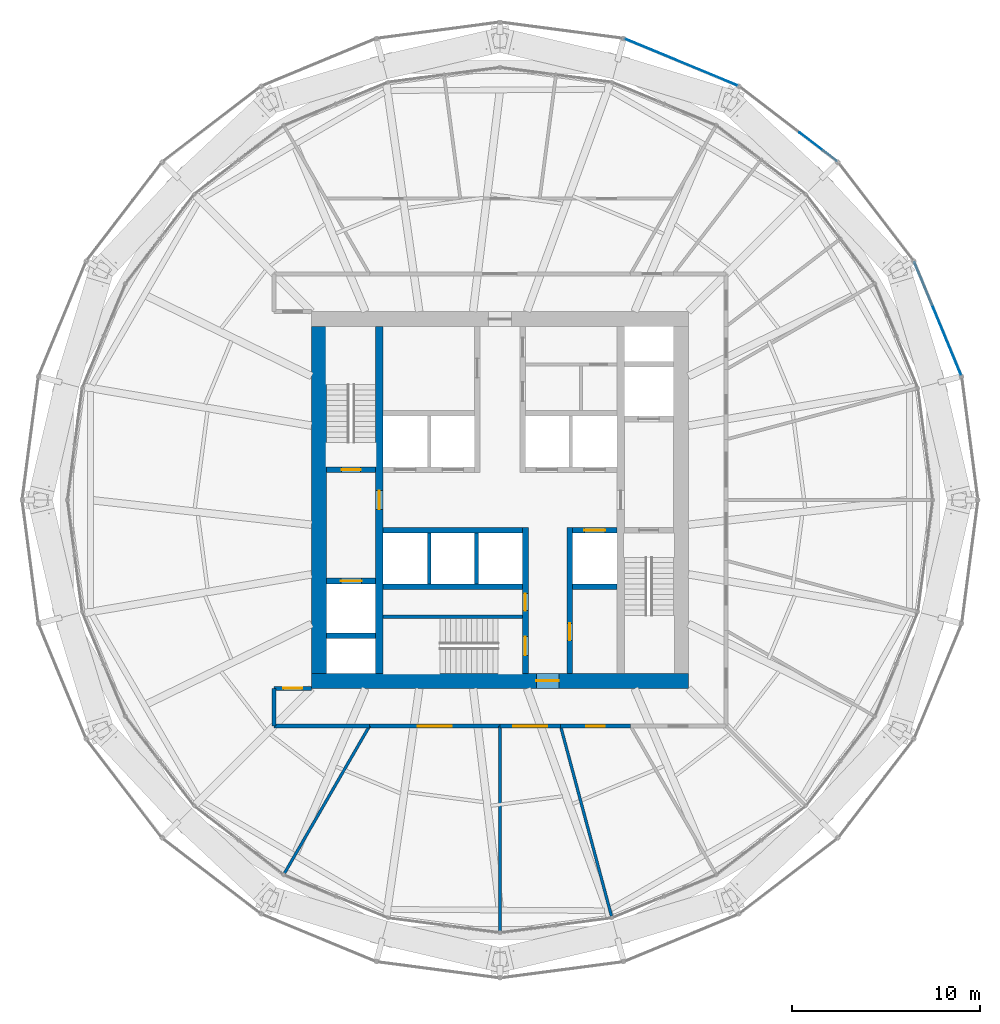
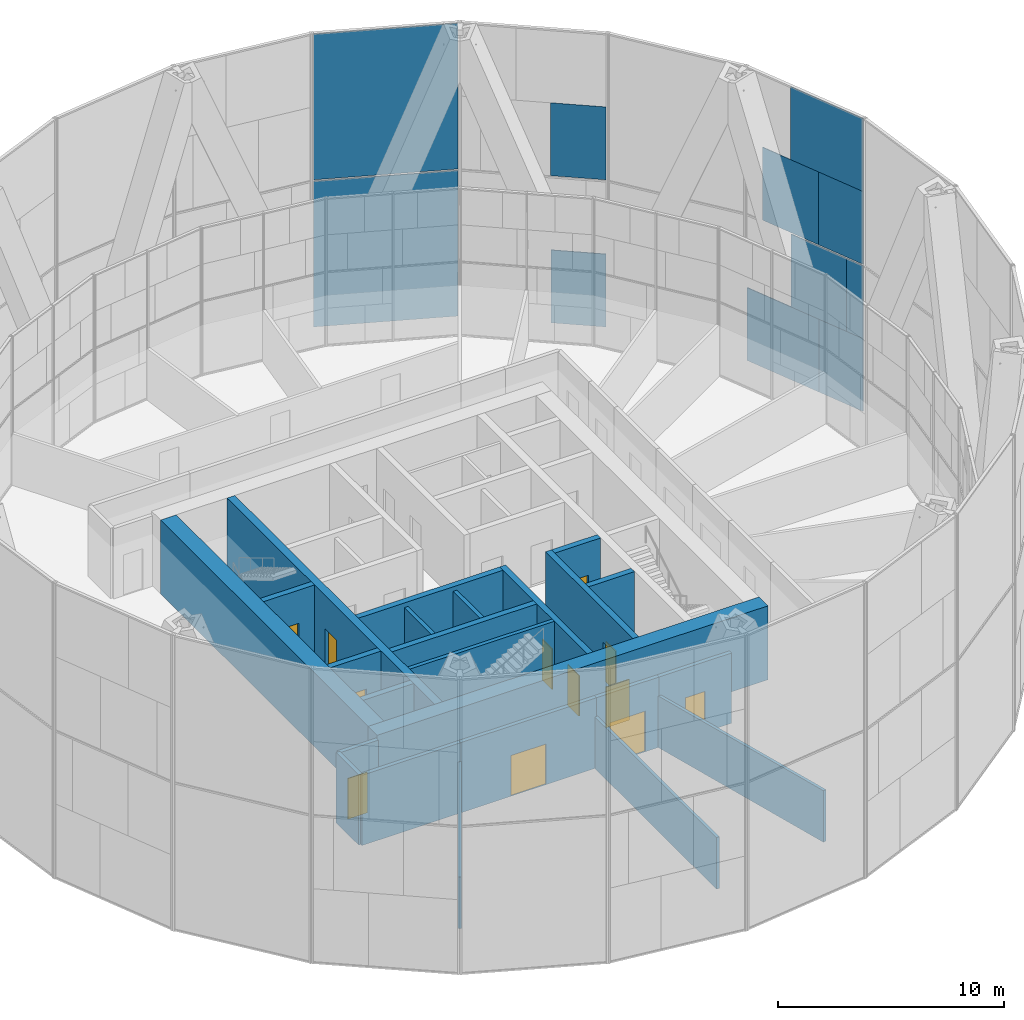
# One storey, part 19 of 22: 24 walls, 12 doors, 11 plates, 12 openings, 3 elements without a shape of their own.
"""IFC4 building model written with IfcOpenShell, lengths in metres."""

from ifc_helpers import new_model, si_unit, direction, frame, frame_2d, origin, origin_2d, place, context, subcontext, project, spatial, rectangle, extrude, material, layer, layer_set, type_object, element, fill, aggregate, save


model = new_model("IFC4")

# Units and contexts
model_context = context("Model", 3, precision=1e-05, world=origin(), true_north=direction((0.0, 1.0)))
body_context = subcontext(model_context, "Body", "Model", "MODEL_VIEW")
ifc_project = project(units=[si_unit("LENGTHUNIT", "METRE"), si_unit("AREAUNIT", "SQUARE_METRE"), si_unit("VOLUMEUNIT", "CUBIC_METRE"), si_unit("PLANEANGLEUNIT", "RADIAN"), si_unit("MASSUNIT", "GRAM", prefix="KILO")], contexts=[model_context])

# Site, building, storey
site_placement = place(None, origin())
site = spatial("IfcSite", under=ifc_project, at=site_placement, CompositionType="ELEMENT")
building_placement = place(site_placement, origin())
building = spatial("IfcBuilding", under=site, at=building_placement, Name="Golbaran Civic Tower", CompositionType="ELEMENT")
storey_placement = place(building_placement, frame((0.0, 0.0, 37.0)))
storey = spatial("IfcBuildingStorey", under=building, at=storey_placement, Name="L08", CompositionType="ELEMENT", Elevation=37.0)

# Curtain wall, plates
ifc_material_1 = material(Name="Aluminium and glass", Category="aluminium")
curtain_wall_type = type_object("IfcCurtainWallType", Name="OUTER SKIN TERRACOTTA SCREEN", PredefinedType="NOTDEFINED", material=ifc_material_1)
curtain_wall_1_placement = place(storey_placement, origin())
curtain_wall_1 = element("IfcCurtainWall", 1, at=curtain_wall_1_placement, inside=storey, type_object=curtain_wall_type, Name="Outer skin L08 facet 2 CW3", ObjectType="OUTER SKIN", PredefinedType="USERDEFINED")
ifc_material_2 = material(Name="Clear laminated glass", Category="glass")
ifc_layer_1 = layer(ifc_material_2, 0.0400390625, Name="Clear laminated glass")
ifc_layer_set_1 = layer_set([ifc_layer_1], Name="Clear laminated glass")
plate_type_1 = type_object("IfcPlateType", Name="OUTER SKIN CLEAR GLASS PANEL", PredefinedType="CURTAIN_PANEL", material=ifc_layer_set_1)
plate_1_placement = place(storey_placement, frame((22.76416015625, 10.760009765625, -0.6298828125), z_axis=(0.0, 0.0, 1.0), x_axis=(-0.382683432462, 0.923879532471, 0.0)))
plate_1 = element("IfcPlate", 2, at=plate_1_placement, type_object=plate_type_1, Name="CW3 panel 1.1 part 2", PredefinedType="CURTAIN_PANEL", context=body_context, shape_type="SweptSolid", body=[
    extrude(rectangle(XDim=4.0029296875, YDim=0.0400390625, at=origin_2d()), origin(), (0.0, 0.0, 1.0), 3.93994140625),
])
plate_2_placement = place(storey_placement, frame((24.297607421875, 7.05810546875, 3.31005859375), z_axis=(0.0, 0.0, 1.0), x_axis=(-0.382683432462, 0.923879532471, 0.0)))
plate_2 = element("IfcPlate", 3, at=plate_2_placement, type_object=plate_type_1, Name="CW3 panel 1.1 part 3", PredefinedType="CURTAIN_PANEL", context=body_context, shape_type="SweptSolid", body=[
    extrude(rectangle(XDim=0.906982421875, YDim=0.0400390625, at=origin_2d()), origin(), (0.0, 0.0, 1.0), 3.93994140625),
])
plate_3_placement = place(storey_placement, frame((23.9951171875, 7.788330078125, 7.330078125), z_axis=(0.0, 0.0, 1.0), x_axis=(-0.382683432462, 0.923879532471, 0.0)))
plate_3 = element("IfcPlate", 4, at=plate_3_placement, type_object=plate_type_1, Name="CW3 panel 1.2 part 1", PredefinedType="CURTAIN_PANEL", context=body_context, shape_type="SweptSolid", body=[
    extrude(rectangle(XDim=2.488037109375, YDim=0.0400390625, at=origin_2d()), origin(), (0.0, 0.0, 1.0), 3.93994140625),
])
plate_4_placement = place(storey_placement, frame((23.69873046875, 8.50390625, 11.27001953125), z_axis=(0.0, 0.0, 1.0), x_axis=(-0.382683432462, 0.923879532471, 0.0)))
plate_4 = element("IfcPlate", 5, at=plate_4_placement, type_object=plate_type_1, Name="CW3 panel 1.2 part 4", PredefinedType="CURTAIN_PANEL", context=body_context, shape_type="SweptSolid", body=[
    extrude(rectangle(XDim=4.037109375, YDim=0.0400390625, at=origin_2d()), origin(), (0.0, 0.0, 1.0), 3.93994140625),
])

# Curtain wall, plate
curtain_wall_2_placement = place(storey_placement, origin())
curtain_wall_2 = element("IfcCurtainWall", 6, at=curtain_wall_2_placement, inside=storey, type_object=curtain_wall_type, Name="Outer skin L08 facet 4 CW3", ObjectType="OUTER SKIN", PredefinedType="USERDEFINED")
plate_5_placement = place(storey_placement, frame((16.885986328125, 18.742431640625, 7.330078125), z_axis=(0.0, 0.0, 1.0), x_axis=(-0.793353340376, 0.608761428898, 0.0)))
plate_5 = element("IfcPlate", 7, at=plate_5_placement, type_object=plate_type_1, Name="CW3 panel 1.2 part 1", PredefinedType="CURTAIN_PANEL", context=body_context, shape_type="SweptSolid", body=[
    extrude(rectangle(XDim=2.488037109375, YDim=0.0400390625, at=origin_2d()), origin(), (0.0, 0.0, 1.0), 3.93994140625),
])

# Plate
ifc_material_3 = material(Name="Terracotta baguette screen", Category="masonry")
ifc_layer_2 = layer(ifc_material_3, 0.0400390625, Name="Terracotta baguette screen")
ifc_layer_set_2 = layer_set([ifc_layer_2], Name="Terracotta baguette screen")
plate_type_2 = type_object("IfcPlateType", Name="OUTER SKIN TERRACOTTA INFILL PANEL", PredefinedType="CURTAIN_PANEL", material=ifc_layer_set_2)
plate_6_placement = place(storey_placement, frame((24.00048828125, 7.77490234375, -0.6298828125), z_axis=(0.0, 0.0, 1.0), x_axis=(-0.382683432462, 0.923879532471, 0.0)))
plate_6 = element("IfcPlate", 8, at=plate_6_placement, type_object=plate_type_2, Name="CW3 infill panel 1.1 part 1", PredefinedType="CURTAIN_PANEL", context=body_context, shape_type="SweptSolid", body=[
    extrude(rectangle(XDim=2.458984375, YDim=0.0400390625, at=origin_2d()), origin(), (0.0, 0.0, 1.0), 3.93994140625),
])

plate_7_placement = place(storey_placement, frame((23.52783203125, 8.91650390625, 3.31005859375), z_axis=(0.0, 0.0, 1.0), x_axis=(-0.382683432462, 0.923879532471, 0.0)))
plate_7 = element("IfcPlate", 9, at=plate_7_placement, type_object=plate_type_2, Name="CW3 infill panel 1.1 part 4", PredefinedType="CURTAIN_PANEL", context=body_context, shape_type="SweptSolid", body=[
    extrude(rectangle(XDim=3.115966796875, YDim=0.0400390625, at=origin_2d()), origin(), (0.0, 0.0, 1.0), 3.93994140625),
])

plate_8_placement = place(storey_placement, frame((22.919677734375, 10.384521484375, 7.330078125), z_axis=(0.0, 0.0, 1.0), x_axis=(-0.382683432462, 0.923879532471, 0.0)))
plate_8 = element("IfcPlate", 10, at=plate_8_placement, type_object=plate_type_2, Name="CW3 infill panel 1.2 part 2", PredefinedType="CURTAIN_PANEL", context=body_context, shape_type="SweptSolid", body=[
    extrude(rectangle(XDim=3.132080078125, YDim=0.0400390625, at=origin_2d()), origin(), (0.0, 0.0, 1.0), 3.93994140625),
])

aggregate(curtain_wall_1, [plate_6, plate_1, plate_2, plate_7, plate_3, plate_8, plate_4])

plate_9_placement = place(storey_placement, frame((16.8974609375, 18.733642578125, -0.6298828125), z_axis=(0.0, 0.0, 1.0), x_axis=(-0.793353340376, 0.608761428898, 0.0)))
plate_9 = element("IfcPlate", 11, at=plate_9_placement, type_object=plate_type_2, Name="CW3 infill panel 1.1 part 1", PredefinedType="CURTAIN_PANEL", context=body_context, shape_type="SweptSolid", body=[
    extrude(rectangle(XDim=2.458984375, YDim=0.0400390625, at=origin_2d()), origin(), (0.0, 0.0, 1.0), 3.93994140625),
])

aggregate(curtain_wall_2, [plate_9, plate_5])

# Curtain wall, plates
curtain_wall_3_placement = place(storey_placement, origin())
curtain_wall_3 = element("IfcCurtainWall", 12, at=curtain_wall_3_placement, inside=storey, type_object=curtain_wall_type, Name="Outer skin L08 facet 5 CW3", ObjectType="OUTER SKIN", PredefinedType="USERDEFINED")
ifc_layer_3 = layer(ifc_material_3, 0.0400390625, Name="Terracotta baguette screen")
ifc_layer_set_3 = layer_set([ifc_layer_3], Name="Terracotta baguette screen")
plate_type_3 = type_object("IfcPlateType", Name="OUTER SKIN TERRACOTTA SCREEN PANEL", PredefinedType="CURTAIN_PANEL", material=ifc_layer_set_3)
plate_10_placement = place(storey_placement, frame((9.6240234375, 23.234619140625, -0.6298828125), z_axis=(0.0, 0.0, 1.0), x_axis=(-0.923879532471, 0.382683432462, 0.0)))
plate_10 = element("IfcPlate", 13, at=plate_10_placement, type_object=plate_type_3, Name="CW3 terracotta screen panel 1.1", PredefinedType="CURTAIN_PANEL", context=body_context, shape_type="SweptSolid", body=[
    extrude(rectangle(XDim=6.4619140625, YDim=0.0400390625, at=origin_2d()), origin(), (0.0, 0.0, 1.0), 7.8798828125),
])
plate_11_placement = place(storey_placement, frame((9.6240234375, 23.234619140625, 7.330078125), z_axis=(0.0, 0.0, 1.0), x_axis=(-0.923879532471, 0.382683432462, 0.0)))
plate_11 = element("IfcPlate", 14, at=plate_11_placement, type_object=plate_type_3, Name="CW3 terracotta screen panel 1.2", PredefinedType="CURTAIN_PANEL", context=body_context, shape_type="SweptSolid", body=[
    extrude(rectangle(XDim=6.4619140625, YDim=0.0400390625, at=origin_2d()), origin(), (0.0, 0.0, 1.0), 7.8798828125),
])
aggregate(curtain_wall_3, [plate_10, plate_11])

# Wall, opening, door
ifc_material_4 = material(Name="Concrete C50/60", Category="concrete")
ifc_layer_4 = layer(ifc_material_4, 0.39990234375, Name="Concrete C50/60")
ifc_layer_set_4 = layer_set([ifc_layer_4], Name="Concrete C50/60")
wall_type_1 = type_object("IfcWallType", Name="CORE WALL CONCRETE 400", PredefinedType="SOLIDWALL", material=ifc_layer_set_4)
wall_1_placement = place(storey_placement, frame((-6.39990234375, -9.199951171875, 0.0), z_axis=(0.0, 0.0, 1.0), x_axis=(0.0, 1.0, 0.0)))
wall_1 = element("IfcWall", 15, at=wall_1_placement, inside=storey, type_object=wall_type_1, Name="Core wall IW L08", PredefinedType="SOLIDWALL", context=body_context, shape_type="SweptSolid", body=[
    extrude(rectangle(XDim=18.39990234375, YDim=0.39990234375, at=frame_2d((9.199951171875, 0.0))), origin(), (0.0, 0.0, 1.0), 4.0),
])
opening_1_placement = place(wall_1_placement, frame((8.699951171875, 0.0, 0.0)))
opening_1 = element("IfcOpeningElement", 16, at=opening_1_placement, cuts=wall_1, Name="Opening L08.FL1", PredefinedType="OPENING", context=body_context, shape_type="SweptSolid", body=[
    extrude(rectangle(XDim=1.0, YDim=2.199951171875, at=frame_2d((0.5, 1.10009765625))), frame((0.0, 0.2099609375, 0.0), z_axis=(0.0, -1.0, 0.0), x_axis=(1.0, 0.0, 0.0)), (0.0, 0.0, 1.0), 0.419921875),
])
ifc_material_5 = material(Name="Timber door set in steel frame", Category="steel")
door_type_1 = type_object("IfcDoorType", Name="STAIR DOOR 1000x2200", OperationType="SINGLE_SWING_LEFT", PredefinedType="DOOR", material=ifc_material_5)
door_1_placement = place(opening_1_placement, origin())
door_1 = element("IfcDoor", 17, at=door_1_placement, inside=storey, type_object=door_type_1, Name="Fire-fighting lobby FL1 door", OperationType="SINGLE_SWING_LEFT", OverallHeight=2.199951171875, OverallWidth=1.0, PredefinedType="DOOR", context=body_context, shape_type="SweptSolid", body=[
    extrude(rectangle(XDim=1.0, YDim=2.199951171875, at=frame_2d((0.5, 1.10009765625))), frame((0.0, 0.02490234375, 0.0), z_axis=(0.0, -1.0, 0.0), x_axis=(1.0, 0.0, 0.0)), (0.0, 0.0, 1.0), 0.050048828125),
])
fill(opening_1, door_1)

ifc_layer_5 = layer(ifc_material_4, 0.800048828125, Name="Concrete C50/60")
ifc_layer_set_5 = layer_set([ifc_layer_5], Name="Concrete C50/60")
wall_type_2 = type_object("IfcWallType", Name="CORE WALL CONCRETE 800", PredefinedType="SOLIDWALL", material=ifc_layer_set_5)
wall_2_placement = place(storey_placement, frame((10.0, -9.60009765625, 0.0), z_axis=(0.0, 0.0, 1.0), x_axis=(-1.0, 0.0, 0.0)))
wall_2 = element("IfcWall", 18, at=wall_2_placement, inside=storey, type_object=wall_type_2, Name="Core wall CS L08", PredefinedType="SOLIDWALL", context=body_context, shape_type="SweptSolid", body=[
    extrude(rectangle(XDim=20.0, YDim=0.800048828125, at=frame_2d((10.0, 0.0))), origin(), (0.0, 0.0, 1.0), 4.0),
])
opening_2_placement = place(wall_2_placement, frame((6.875, 0.0, 0.0)))
opening_2 = element("IfcOpeningElement", 19, at=opening_2_placement, cuts=wall_2, Name="Opening L08.CS", PredefinedType="OPENING", context=body_context, shape_type="SweptSolid", body=[
    extrude(rectangle(XDim=1.199951171875, YDim=2.199951171875, at=frame_2d((0.60009765625, 1.10009765625))), frame((0.0, 0.409912109375, 0.0), z_axis=(0.0, -1.0, 0.0), x_axis=(1.0, 0.0, 0.0)), (0.0, 0.0, 1.0), 0.820068359375),
])
door_type_2 = type_object("IfcDoorType", Name="CORE DOOR 1200x2200", OperationType="DOUBLE_DOOR_SINGLE_SWING", PredefinedType="DOOR", material=ifc_material_5)
door_2_placement = place(opening_2_placement, origin())
door_2 = element("IfcDoor", 20, at=door_2_placement, inside=storey, type_object=door_type_2, Name="Core door south", OperationType="DOUBLE_DOOR_SINGLE_SWING", OverallHeight=2.199951171875, OverallWidth=1.199951171875, PredefinedType="DOOR", context=body_context, shape_type="SweptSolid", body=[
    extrude(rectangle(XDim=1.199951171875, YDim=2.199951171875, at=frame_2d((0.60009765625, 1.10009765625))), frame((0.0, 0.02490234375, 0.0), z_axis=(0.0, -1.0, 0.0), x_axis=(1.0, 0.0, 0.0)), (0.0, 0.0, 1.0), 0.050048828125),
])
fill(opening_2, door_2)

# Walls
wall_3_placement = place(storey_placement, frame((-9.60009765625, 9.199951171875, 0.0), z_axis=(0.0, 0.0, 1.0), x_axis=(0.0, -1.0, 0.0)))
element("IfcWall", 21, at=wall_3_placement, inside=storey, type_object=wall_type_2, Name="Core wall CW L08", PredefinedType="SOLIDWALL", context=body_context, shape_type="SweptSolid", body=[
    extrude(rectangle(XDim=18.39990234375, YDim=0.800048828125, at=frame_2d((9.199951171875, 0.0))), origin(), (0.0, 0.0, 1.0), 4.0),
])
ifc_material_6 = material(Name="Gypsum board on steel studs, fire-rated", Category="steel")
ifc_layer_6 = layer(ifc_material_6, 0.199951171875, Name="Gypsum board on steel studs, fire-rated")
ifc_layer_set_6 = layer_set([ifc_layer_6], Name="Gypsum board on steel studs, fire-rated")
wall_type_3 = type_object("IfcWallType", Name="CORRIDOR WALL 200", PredefinedType="PARTITIONING", material=ifc_layer_set_6)
wall_4_placement = place(storey_placement, frame((-12.0, -10.0, 0.0), z_axis=(0.0, 0.0, 1.0), x_axis=(0.0, -1.0, 0.0)))
element("IfcWall", 22, at=wall_4_placement, inside=storey, type_object=wall_type_3, Name="Corridor wall L08", PredefinedType="PARTITIONING", context=body_context, shape_type="SweptSolid", body=[
    extrude(rectangle(XDim=2.0, YDim=0.199951171875, at=frame_2d((1.0, 0.0))), origin(), (0.0, 0.0, 1.0), 3.800048828125),
])
wall_5_placement = place(storey_placement, frame((-12.0, -12.0, 0.0), z_axis=(0.0, 0.0, 1.0), x_axis=(1.0, 0.0, 0.0)))
element("IfcWall", 23, at=wall_5_placement, inside=storey, type_object=wall_type_3, Name="Corridor wall L08", PredefinedType="PARTITIONING", context=body_context, shape_type="SweptSolid", body=[
    extrude(rectangle(XDim=5.07177734375, YDim=0.199951171875, at=frame_2d((2.535888671875, 0.0))), origin(), (0.0, 0.0, 1.0), 3.800048828125),
])

# Wall, opening, door
wall_6_placement = place(storey_placement, frame((-6.92822265625, -12.0, 0.0), z_axis=(0.0, 0.0, 1.0), x_axis=(1.0, 0.0, 0.0)))
wall_6 = element("IfcWall", 24, at=wall_6_placement, inside=storey, type_object=wall_type_3, Name="Corridor wall L08", PredefinedType="PARTITIONING", context=body_context, shape_type="SweptSolid", body=[
    extrude(rectangle(XDim=6.92822265625, YDim=0.199951171875, at=frame_2d((3.464111328125, 0.0))), origin(), (0.0, 0.0, 1.0), 3.800048828125),
])
opening_3_placement = place(wall_6_placement, frame((2.564208984375, 0.0, 0.0)))
opening_3 = element("IfcOpeningElement", 25, at=opening_3_placement, cuts=wall_6, Name="Opening L08.12", PredefinedType="OPENING", context=body_context, shape_type="SweptSolid", body=[
    extrude(rectangle(XDim=1.800048828125, YDim=2.199951171875, at=frame_2d((0.89990234375, 1.10009765625))), frame((0.0, 0.10986328125, 0.0), z_axis=(0.0, -1.0, 0.0), x_axis=(1.0, 0.0, 0.0)), (0.0, 0.0, 1.0), 0.219970703125),
])
door_type_3 = type_object("IfcDoorType", Name="OFFICE DOUBLE DOOR 1800x2200", OperationType="DOUBLE_DOOR_SINGLE_SWING", PredefinedType="DOOR", material=ifc_material_5)
door_3_placement = place(opening_3_placement, origin())
door_3 = element("IfcDoor", 26, at=door_3_placement, inside=storey, type_object=door_type_3, Name="Open Office door L08", OperationType="DOUBLE_DOOR_SINGLE_SWING", OverallHeight=2.199951171875, OverallWidth=1.800048828125, PredefinedType="DOOR", context=body_context, shape_type="SweptSolid", body=[
    extrude(rectangle(XDim=1.800048828125, YDim=2.199951171875, at=frame_2d((0.89990234375, 1.10009765625))), frame((0.0, 0.02490234375, 0.0), z_axis=(0.0, -1.0, 0.0), x_axis=(1.0, 0.0, 0.0)), (0.0, 0.0, 1.0), 0.050048828125),
])
fill(opening_3, door_3)

wall_7_placement = place(storey_placement, frame((0.0, -12.0, 0.0), z_axis=(0.0, 0.0, 1.0), x_axis=(1.0, 0.0, 0.0)))
wall_7 = element("IfcWall", 27, at=wall_7_placement, inside=storey, type_object=wall_type_3, Name="Corridor wall L08", PredefinedType="PARTITIONING", context=body_context, shape_type="SweptSolid", body=[
    extrude(rectangle(XDim=3.21533203125, YDim=0.199951171875, at=frame_2d((1.607666015625, 0.0))), origin(), (0.0, 0.0, 1.0), 3.800048828125),
])
opening_4_placement = place(wall_7_placement, frame((0.707763671875, 0.0, 0.0)))
opening_4 = element("IfcOpeningElement", 28, at=opening_4_placement, cuts=wall_7, Name="Opening L08.13", PredefinedType="OPENING", context=body_context, shape_type="SweptSolid", body=[
    extrude(rectangle(XDim=1.800048828125, YDim=2.199951171875, at=frame_2d((0.89990234375, 1.10009765625))), frame((0.0, 0.10986328125, 0.0), z_axis=(0.0, -1.0, 0.0), x_axis=(1.0, 0.0, 0.0)), (0.0, 0.0, 1.0), 0.219970703125),
])
door_4_placement = place(opening_4_placement, origin())
door_4 = element("IfcDoor", 29, at=door_4_placement, inside=storey, type_object=door_type_3, Name="Open Office door L08", OperationType="DOUBLE_DOOR_SINGLE_SWING", OverallHeight=2.199951171875, OverallWidth=1.800048828125, PredefinedType="DOOR", context=body_context, shape_type="SweptSolid", body=[
    extrude(rectangle(XDim=1.800048828125, YDim=2.199951171875, at=frame_2d((0.89990234375, 1.10009765625))), frame((0.0, 0.02490234375, 0.0), z_axis=(0.0, -1.0, 0.0), x_axis=(1.0, 0.0, 0.0)), (0.0, 0.0, 1.0), 0.050048828125),
])
fill(opening_4, door_4)

wall_8_placement = place(storey_placement, frame((3.21533203125, -12.0, 0.0), z_axis=(0.0, 0.0, 1.0), x_axis=(1.0, 0.0, 0.0)))
wall_8 = element("IfcWall", 30, at=wall_8_placement, inside=storey, type_object=wall_type_3, Name="Corridor wall L08", PredefinedType="PARTITIONING", context=body_context, shape_type="SweptSolid", body=[
    extrude(rectangle(XDim=3.712890625, YDim=0.199951171875, at=frame_2d((1.8564453125, 0.0))), origin(), (0.0, 0.0, 1.0), 3.800048828125),
])
opening_5_placement = place(wall_8_placement, frame((1.3564453125, 0.0, 0.0)))
opening_5 = element("IfcOpeningElement", 31, at=opening_5_placement, cuts=wall_8, Name="Opening L08.14", PredefinedType="OPENING", context=body_context, shape_type="SweptSolid", body=[
    extrude(rectangle(XDim=1.0, YDim=2.199951171875, at=frame_2d((0.5, 1.10009765625))), frame((0.0, 0.10986328125, 0.0), z_axis=(0.0, -1.0, 0.0), x_axis=(1.0, 0.0, 0.0)), (0.0, 0.0, 1.0), 0.219970703125),
])
door_type_4 = type_object("IfcDoorType", Name="OFFICE DOOR 1000x2200", OperationType="SINGLE_SWING_LEFT", PredefinedType="DOOR", material=ifc_material_5)
door_5_placement = place(opening_5_placement, origin())
door_5 = element("IfcDoor", 32, at=door_5_placement, inside=storey, type_object=door_type_4, Name="File Room door L08", OperationType="SINGLE_SWING_LEFT", OverallHeight=2.199951171875, OverallWidth=1.0, PredefinedType="DOOR", context=body_context, shape_type="SweptSolid", body=[
    extrude(rectangle(XDim=1.0, YDim=2.199951171875, at=frame_2d((0.5, 1.10009765625))), frame((0.0, 0.02490234375, 0.0), z_axis=(0.0, -1.0, 0.0), x_axis=(1.0, 0.0, 0.0)), (0.0, 0.0, 1.0), 0.050048828125),
])
fill(opening_5, door_5)

wall_9_placement = place(storey_placement, frame((-10.0, -10.0, 0.0), z_axis=(0.0, 0.0, 1.0), x_axis=(-1.0, 0.0, 0.0)))
wall_9 = element("IfcWall", 33, at=wall_9_placement, inside=storey, type_object=wall_type_3, Name="Corridor end wall L08", PredefinedType="PARTITIONING", context=body_context, shape_type="SweptSolid", body=[
    extrude(rectangle(XDim=2.0, YDim=0.199951171875, at=frame_2d((1.0, 0.0))), origin(), (0.0, 0.0, 1.0), 3.800048828125),
])
opening_6_placement = place(wall_9_placement, frame((0.5, 0.0, 0.0)))
opening_6 = element("IfcOpeningElement", 34, at=opening_6_placement, cuts=wall_9, Name="Opening L08.17", PredefinedType="OPENING", context=body_context, shape_type="SweptSolid", body=[
    extrude(rectangle(XDim=1.0, YDim=2.199951171875, at=frame_2d((0.5, 1.10009765625))), frame((0.0, 0.10986328125, 0.0), z_axis=(0.0, -1.0, 0.0), x_axis=(1.0, 0.0, 0.0)), (0.0, 0.0, 1.0), 0.219970703125),
])
door_6_placement = place(opening_6_placement, origin())
door_6 = element("IfcDoor", 35, at=door_6_placement, inside=storey, type_object=door_type_4, Name="Open Office door L08", OperationType="SINGLE_SWING_RIGHT", OverallHeight=2.199951171875, OverallWidth=1.0, PredefinedType="DOOR", context=body_context, shape_type="SweptSolid", body=[
    extrude(rectangle(XDim=1.0, YDim=2.199951171875, at=frame_2d((0.5, 1.10009765625))), frame((0.0, 0.02490234375, 0.0), z_axis=(0.0, -1.0, 0.0), x_axis=(1.0, 0.0, 0.0)), (0.0, 0.0, 1.0), 0.050048828125),
])
fill(opening_6, door_6)

# Walls
ifc_material_7 = material(Name="Concrete block", Category="concrete")
ifc_layer_7 = layer(ifc_material_7, 0.199951171875, Name="Concrete block")
ifc_layer_set_7 = layer_set([ifc_layer_7], Name="Concrete block")
wall_type_4 = type_object("IfcWallType", Name="LIFT SEPARATOR WALL 200", PredefinedType="SOLIDWALL", material=ifc_layer_set_7)
for number, where, z_axis, x_axis, name in (
    (36, (-3.75, -1.75, 0.0), (0.0, 0.0, 1.0), (0.0, -1.0, 0.0), "Core partition SSW L08"),
    (37, (-1.25, -1.75, 0.0), (0.0, 0.0, 1.0), (0.0, -1.0, 0.0), "Core partition SSM L08"),
):
    element("IfcWall", number, at=place(storey_placement, frame(where, z_axis=z_axis, x_axis=x_axis)), inside=storey, type_object=wall_type_4, Name=name, PredefinedType="SOLIDWALL", context=body_context, shape_type="SweptSolid", body=[
        extrude(rectangle(XDim=2.699951171875, YDim=0.199951171875, at=frame_2d((1.35009765625, 0.0))), origin(), (0.0, 0.0, 1.0), 3.75),
    ])
ifc_material_8 = material(Name="Gypsum board on steel studs", Category="steel")
ifc_layer_8 = layer(ifc_material_8, 0.14990234375, Name="Gypsum board on steel studs")
ifc_layer_set_8 = layer_set([ifc_layer_8], Name="Gypsum board on steel studs")
wall_type_5 = type_object("IfcWallType", Name="OFFICE PARTITION 150", PredefinedType="PARTITIONING", material=ifc_layer_set_8)
wall_10_placement = place(storey_placement, frame((-6.92822265625, -12.0, 0.0), z_axis=(0.0, 0.0, 1.0), x_axis=(-0.49999598783, -0.866027720199, 0.0)))
element("IfcWall", 38, at=wall_10_placement, inside=storey, type_object=wall_type_5, Name="Partition 240 L08", PredefinedType="PARTITIONING", context=body_context, shape_type="SweptSolid", body=[
    extrude(rectangle(XDim=9.013671875, YDim=0.14990234375, at=frame_2d((4.5068359375, 0.0))), origin(), (0.0, 0.0, 1.0), 2.7900390625),
])
wall_11_placement = place(storey_placement, frame((0.0, -12.0, 0.0), z_axis=(0.0, 0.0, 1.0), x_axis=(0.0, -1.0, 0.0)))
element("IfcWall", 39, at=wall_11_placement, inside=storey, type_object=wall_type_5, Name="Partition 270 L08", PredefinedType="PARTITIONING", context=body_context, shape_type="SweptSolid", body=[
    extrude(rectangle(XDim=10.8701171875, YDim=0.14990234375, at=frame_2d((5.43505859375, 0.0))), origin(), (0.0, 0.0, 1.0), 2.7900390625),
])
wall_12_placement = place(storey_placement, frame((3.21533203125, -12.0, 0.0), z_axis=(0.0, 0.0, 1.0), x_axis=(0.25882174838, -0.965925101944, 0.0)))
element("IfcWall", 40, at=wall_12_placement, inside=storey, type_object=wall_type_5, Name="Partition 285 L08", PredefinedType="PARTITIONING", context=body_context, shape_type="SweptSolid", body=[
    extrude(rectangle(XDim=10.44677734375, YDim=0.14990234375, at=frame_2d((5.223388671875, 0.0))), origin(), (0.0, 0.0, 1.0), 2.7900390625),
])
ifc_layer_9 = layer(ifc_material_4, 0.199951171875, Name="Concrete C50/60")
ifc_layer_set_9 = layer_set([ifc_layer_9], Name="Concrete C50/60")
wall_type_6 = type_object("IfcWallType", Name="SHAFT WALL CONCRETE 200", PredefinedType="SOLIDWALL", material=ifc_layer_set_9)
wall_13_placement = place(storey_placement, frame((-6.199951171875, -6.199951171875, 0.0), z_axis=(0.0, 0.0, 1.0), x_axis=(1.0, 0.0, 0.0)))
element("IfcWall", 41, at=wall_13_placement, inside=storey, type_object=wall_type_6, Name="Core wall S3N L08", PredefinedType="SOLIDWALL", context=body_context, shape_type="SweptSolid", body=[
    extrude(rectangle(XDim=7.39990234375, YDim=0.199951171875, at=frame_2d((3.699951171875, 0.0))), origin(), (0.0, 0.0, 1.0), 4.0),
])
ifc_layer_10 = layer(ifc_material_4, 0.300048828125, Name="Concrete C50/60")
ifc_layer_set_10 = layer_set([ifc_layer_10], Name="Concrete C50/60")
wall_type_7 = type_object("IfcWallType", Name="SHAFT WALL CONCRETE 300", PredefinedType="SOLIDWALL", material=ifc_layer_set_10)
wall_14_placement = place(storey_placement, frame((-6.199951171875, -1.60009765625, 0.0), z_axis=(0.0, 0.0, 1.0), x_axis=(1.0, 0.0, 0.0)))
element("IfcWall", 42, at=wall_14_placement, inside=storey, type_object=wall_type_7, Name="Core wall FSW L08", PredefinedType="SOLIDWALL", context=body_context, shape_type="SweptSolid", body=[
    extrude(rectangle(XDim=7.39990234375, YDim=0.300048828125, at=frame_2d((3.699951171875, 0.0))), origin(), (0.0, 0.0, 1.0), 4.0),
])

# Wall, opening, door
wall_15_placement = place(storey_placement, frame((3.85009765625, -1.60009765625, 0.0), z_axis=(0.0, 0.0, 1.0), x_axis=(1.0, 0.0, 0.0)))
wall_15 = element("IfcWall", 43, at=wall_15_placement, inside=storey, type_object=wall_type_7, Name="Core wall FSE L08", PredefinedType="SOLIDWALL", context=body_context, shape_type="SweptSolid", body=[
    extrude(rectangle(XDim=2.349853515625, YDim=0.300048828125, at=frame_2d((1.1748046875, 0.0))), origin(), (0.0, 0.0, 1.0), 4.0),
])
opening_7_placement = place(wall_15_placement, frame((0.625, 0.0, 0.0)))
opening_7 = element("IfcOpeningElement", 44, at=opening_7_placement, cuts=wall_15, Name="Opening L08.LD-V1", PredefinedType="OPENING", context=body_context, shape_type="SweptSolid", body=[
    extrude(rectangle(XDim=1.10009765625, YDim=2.199951171875, at=frame_2d((0.550048828125, 1.10009765625))), frame((0.0, 0.159912109375, 0.0), z_axis=(0.0, -1.0, 0.0), x_axis=(1.0, 0.0, 0.0)), (0.0, 0.0, 1.0), 0.320068359375),
])
ifc_material_9 = material(Name="Stainless steel", Category="steel")
door_type_5 = type_object("IfcDoorType", Name="LIFT LANDING DOOR 1100x2200", OperationType="SLIDING_TO_LEFT", PredefinedType="DOOR", material=ifc_material_9)
door_7_placement = place(opening_7_placement, origin())
door_7 = element("IfcDoor", 45, at=door_7_placement, inside=storey, type_object=door_type_5, Name="Lift landing door V1", OperationType="SLIDING_TO_LEFT", OverallHeight=2.199951171875, OverallWidth=1.10009765625, PredefinedType="DOOR", context=body_context, shape_type="SweptSolid", body=[
    extrude(rectangle(XDim=1.10009765625, YDim=2.199951171875, at=frame_2d((0.550048828125, 1.10009765625))), frame((0.0, 0.02490234375, 0.0), z_axis=(0.0, -1.0, 0.0), x_axis=(1.0, 0.0, 0.0)), (0.0, 0.0, 1.0), 0.050048828125),
])
fill(opening_7, door_7)

# Walls
wall_16_placement = place(storey_placement, frame((-6.199951171875, -4.60009765625, 0.0), z_axis=(0.0, 0.0, 1.0), x_axis=(1.0, 0.0, 0.0)))
element("IfcWall", 46, at=wall_16_placement, inside=storey, type_object=wall_type_7, Name="Core wall BSW L08", PredefinedType="SOLIDWALL", context=body_context, shape_type="SweptSolid", body=[
    extrude(rectangle(XDim=7.39990234375, YDim=0.300048828125, at=frame_2d((3.699951171875, 0.0))), origin(), (0.0, 0.0, 1.0), 4.0),
])
wall_17_placement = place(storey_placement, frame((3.85009765625, -4.60009765625, 0.0), z_axis=(0.0, 0.0, 1.0), x_axis=(1.0, 0.0, 0.0)))
element("IfcWall", 47, at=wall_17_placement, inside=storey, type_object=wall_type_7, Name="Core wall BSE L08", PredefinedType="SOLIDWALL", context=body_context, shape_type="SweptSolid", body=[
    extrude(rectangle(XDim=2.349853515625, YDim=0.300048828125, at=frame_2d((1.1748046875, 0.0))), origin(), (0.0, 0.0, 1.0), 4.0),
])

# Wall, openings, doors
wall_18_placement = place(storey_placement, frame((1.35009765625, -1.449951171875, 0.0), z_axis=(0.0, 0.0, 1.0), x_axis=(0.0, -1.0, 0.0)))
wall_18 = element("IfcWall", 48, at=wall_18_placement, inside=storey, type_object=wall_type_7, Name="Core wall PSW L08", PredefinedType="SOLIDWALL", context=body_context, shape_type="SweptSolid", body=[
    extrude(rectangle(XDim=7.75, YDim=0.300048828125, at=frame_2d((3.875, 0.0))), origin(), (0.0, 0.0, 1.0), 4.0),
])
opening_8_placement = place(wall_18_placement, frame((5.800048828125, 0.0, 0.0)))
opening_8 = element("IfcOpeningElement", 49, at=opening_8_placement, cuts=wall_18, Name="Opening L08.S3", PredefinedType="OPENING", context=body_context, shape_type="SweptSolid", body=[
    extrude(rectangle(XDim=1.0, YDim=2.199951171875, at=frame_2d((0.5, 1.10009765625))), frame((0.0, 0.159912109375, 0.0), z_axis=(0.0, -1.0, 0.0), x_axis=(1.0, 0.0, 0.0)), (0.0, 0.0, 1.0), 0.320068359375),
])
opening_9_placement = place(wall_18_placement, frame((3.52490234375, 0.0, 0.0)))
opening_9 = element("IfcOpeningElement", 50, at=opening_9_placement, cuts=wall_18, Name="Opening L08.RE", PredefinedType="OPENING", context=body_context, shape_type="SweptSolid", body=[
    extrude(rectangle(XDim=0.89990234375, YDim=2.199951171875, at=frame_2d((0.449951171875, 1.10009765625))), frame((0.0, 0.159912109375, 0.0), z_axis=(0.0, -1.0, 0.0), x_axis=(1.0, 0.0, 0.0)), (0.0, 0.0, 1.0), 0.320068359375),
])
door_type_6 = type_object("IfcDoorType", Name="RISER DOOR 900x2200", OperationType="SINGLE_SWING_LEFT", PredefinedType="DOOR", material=ifc_material_5)
door_8_placement = place(opening_9_placement, origin())
door_8 = element("IfcDoor", 51, at=door_8_placement, inside=storey, type_object=door_type_6, Name="Electrical riser door", OperationType="SINGLE_SWING_RIGHT", OverallHeight=2.199951171875, OverallWidth=0.89990234375, PredefinedType="DOOR", context=body_context, shape_type="SweptSolid", body=[
    extrude(rectangle(XDim=0.89990234375, YDim=2.199951171875, at=frame_2d((0.449951171875, 1.10009765625))), frame((0.0, 0.02490234375, 0.0), z_axis=(0.0, -1.0, 0.0), x_axis=(1.0, 0.0, 0.0)), (0.0, 0.0, 1.0), 0.050048828125),
])
fill(opening_9, door_8)
door_9_placement = place(opening_8_placement, origin())
door_9 = element("IfcDoor", 52, at=door_9_placement, inside=storey, type_object=door_type_1, Name="Stair S3 door", OperationType="SINGLE_SWING_RIGHT", OverallHeight=2.199951171875, OverallWidth=1.0, PredefinedType="DOOR", context=body_context, shape_type="SweptSolid", body=[
    extrude(rectangle(XDim=1.0, YDim=2.199951171875, at=frame_2d((0.5, 1.10009765625))), frame((0.0, 0.02490234375, 0.0), z_axis=(0.0, -1.0, 0.0), x_axis=(1.0, 0.0, 0.0)), (0.0, 0.0, 1.0), 0.050048828125),
])
fill(opening_8, door_9)

# Wall, opening, door
wall_19_placement = place(storey_placement, frame((3.699951171875, -1.449951171875, 0.0), z_axis=(0.0, 0.0, 1.0), x_axis=(0.0, -1.0, 0.0)))
wall_19 = element("IfcWall", 53, at=wall_19_placement, inside=storey, type_object=wall_type_7, Name="Core wall PSE L08", PredefinedType="SOLIDWALL", context=body_context, shape_type="SweptSolid", body=[
    extrude(rectangle(XDim=7.75, YDim=0.300048828125, at=frame_2d((3.875, 0.0))), origin(), (0.0, 0.0, 1.0), 4.0),
])
opening_10_placement = place(wall_19_placement, frame((5.10009765625, 0.0, 0.0)))
opening_10 = element("IfcOpeningElement", 54, at=opening_10_placement, cuts=wall_19, Name="Opening L08.RM", PredefinedType="OPENING", context=body_context, shape_type="SweptSolid", body=[
    extrude(rectangle(XDim=0.89990234375, YDim=2.199951171875, at=frame_2d((0.449951171875, 1.10009765625))), frame((0.0, 0.159912109375, 0.0), z_axis=(0.0, -1.0, 0.0), x_axis=(1.0, 0.0, 0.0)), (0.0, 0.0, 1.0), 0.320068359375),
])
door_10_placement = place(opening_10_placement, origin())
door_10 = element("IfcDoor", 55, at=door_10_placement, inside=storey, type_object=door_type_6, Name="Mechanical riser door", OperationType="SINGLE_SWING_RIGHT", OverallHeight=2.199951171875, OverallWidth=0.89990234375, PredefinedType="DOOR", context=body_context, shape_type="SweptSolid", body=[
    extrude(rectangle(XDim=0.89990234375, YDim=2.199951171875, at=frame_2d((0.449951171875, 1.10009765625))), frame((0.0, 0.02490234375, 0.0), z_axis=(0.0, -1.0, 0.0), x_axis=(1.0, 0.0, 0.0)), (0.0, 0.0, 1.0), 0.050048828125),
])
fill(opening_10, door_10)

wall_20_placement = place(storey_placement, frame((-9.199951171875, 1.60009765625, 0.0), z_axis=(0.0, 0.0, 1.0), x_axis=(1.0, 0.0, 0.0)))
wall_20 = element("IfcWall", 56, at=wall_20_placement, inside=storey, type_object=wall_type_7, Name="Core wall XW1 L08", PredefinedType="SOLIDWALL", context=body_context, shape_type="SweptSolid", body=[
    extrude(rectangle(XDim=2.599853515625, YDim=0.300048828125, at=frame_2d((1.2998046875, 0.0))), origin(), (0.0, 0.0, 1.0), 4.0),
])
opening_11_placement = place(wall_20_placement, frame((0.800048828125, 0.0, 0.0)))
opening_11 = element("IfcOpeningElement", 57, at=opening_11_placement, cuts=wall_20, Name="Opening L08.S1", PredefinedType="OPENING", context=body_context, shape_type="SweptSolid", body=[
    extrude(rectangle(XDim=1.0, YDim=2.199951171875, at=frame_2d((0.5, 1.10009765625))), frame((0.0, 0.159912109375, 0.0), z_axis=(0.0, -1.0, 0.0), x_axis=(1.0, 0.0, 0.0)), (0.0, 0.0, 1.0), 0.320068359375),
])
door_11_placement = place(opening_11_placement, origin())
door_11 = element("IfcDoor", 58, at=door_11_placement, inside=storey, type_object=door_type_1, Name="Stair S1 door", OperationType="SINGLE_SWING_LEFT", OverallHeight=2.199951171875, OverallWidth=1.0, PredefinedType="DOOR", context=body_context, shape_type="SweptSolid", body=[
    extrude(rectangle(XDim=1.0, YDim=2.199951171875, at=frame_2d((0.5, 1.10009765625))), frame((0.0, 0.02490234375, 0.0), z_axis=(0.0, -1.0, 0.0), x_axis=(1.0, 0.0, 0.0)), (0.0, 0.0, 1.0), 0.050048828125),
])
fill(opening_11, door_11)

wall_21_placement = place(storey_placement, frame((-9.199951171875, -4.300048828125, 0.0), z_axis=(0.0, 0.0, 1.0), x_axis=(1.0, 0.0, 0.0)))
wall_21 = element("IfcWall", 59, at=wall_21_placement, inside=storey, type_object=wall_type_7, Name="Core wall XW2 L08", PredefinedType="SOLIDWALL", context=body_context, shape_type="SweptSolid", body=[
    extrude(rectangle(XDim=2.599853515625, YDim=0.300048828125, at=frame_2d((1.2998046875, 0.0))), origin(), (0.0, 0.0, 1.0), 4.0),
])
opening_12_placement = place(wall_21_placement, frame((0.75, 0.0, 0.0)))
opening_12 = element("IfcOpeningElement", 60, at=opening_12_placement, cuts=wall_21, Name="Opening L08.LD-F1", PredefinedType="OPENING", context=body_context, shape_type="SweptSolid", body=[
    extrude(rectangle(XDim=1.10009765625, YDim=2.199951171875, at=frame_2d((0.550048828125, 1.10009765625))), frame((0.0, 0.159912109375, 0.0), z_axis=(0.0, -1.0, 0.0), x_axis=(1.0, 0.0, 0.0)), (0.0, 0.0, 1.0), 0.320068359375),
])
door_12_placement = place(opening_12_placement, origin())
door_12 = element("IfcDoor", 61, at=door_12_placement, inside=storey, type_object=door_type_5, Name="Lift landing door F1", OperationType="SLIDING_TO_LEFT", OverallHeight=2.199951171875, OverallWidth=1.10009765625, PredefinedType="DOOR", context=body_context, shape_type="SweptSolid", body=[
    extrude(rectangle(XDim=1.10009765625, YDim=2.199951171875, at=frame_2d((0.550048828125, 1.10009765625))), frame((0.0, 0.02490234375, 0.0), z_axis=(0.0, -1.0, 0.0), x_axis=(1.0, 0.0, 0.0)), (0.0, 0.0, 1.0), 0.050048828125),
])
fill(opening_12, door_12)

# Wall
wall_22_placement = place(storey_placement, frame((-9.199951171875, -7.199951171875, 0.0), z_axis=(0.0, 0.0, 1.0), x_axis=(1.0, 0.0, 0.0)))
element("IfcWall", 62, at=wall_22_placement, inside=storey, type_object=wall_type_7, Name="Core wall XW3 L08", PredefinedType="SOLIDWALL", context=body_context, shape_type="SweptSolid", body=[
    extrude(rectangle(XDim=2.599853515625, YDim=0.300048828125, at=frame_2d((1.2998046875, 0.0))), origin(), (0.0, 0.0, 1.0), 4.0),
])

save(model, "model.ifc")
